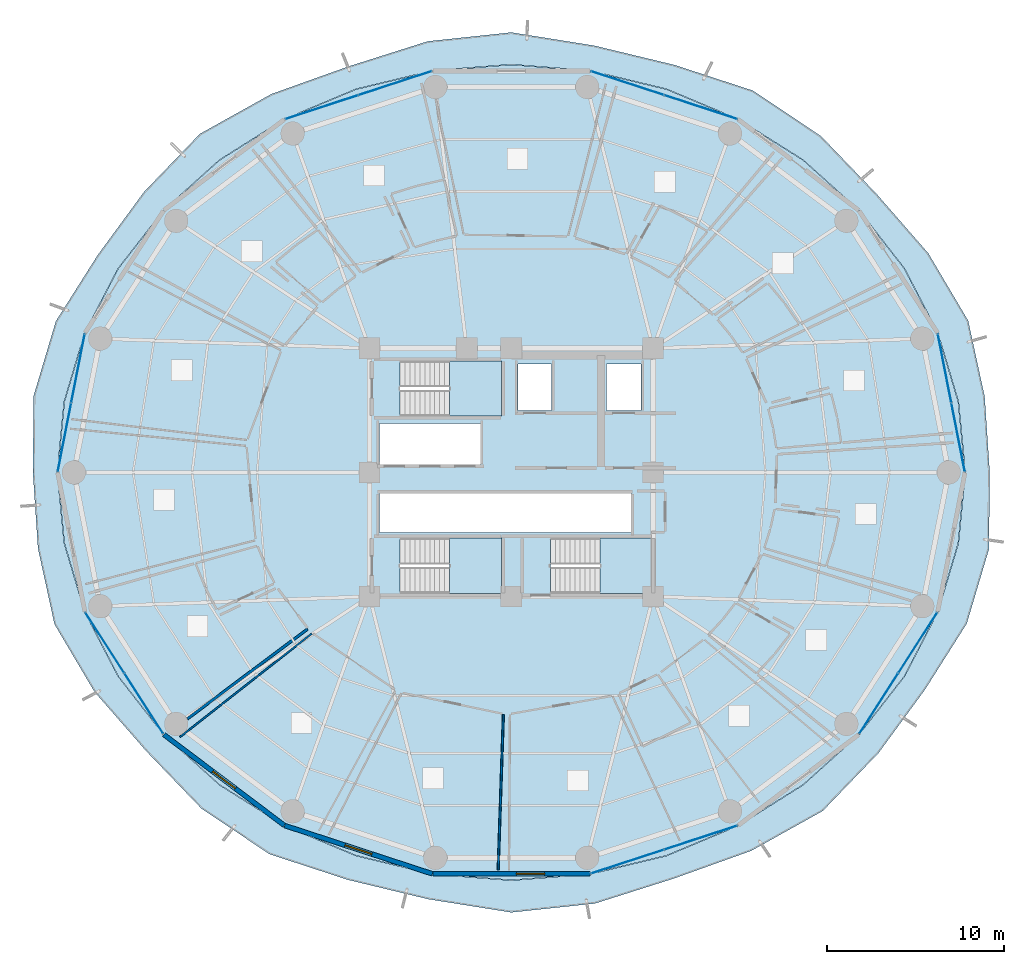
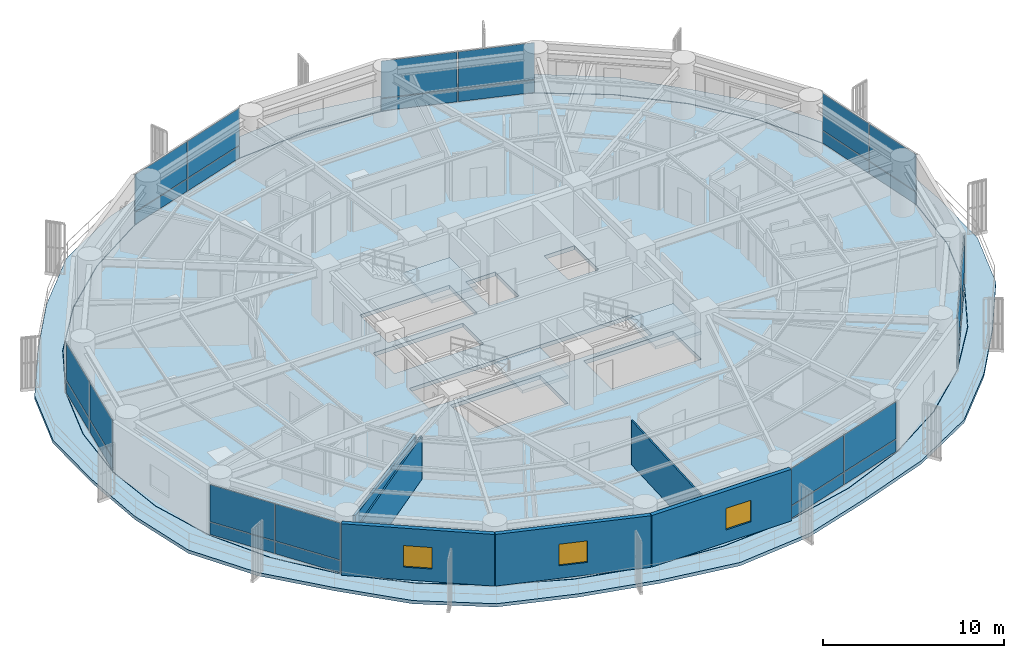
# One storey, part 27 of 36: 28 plates, 6 walls, 5 slabs, 3 windows, 3 openings, 10 elements without a shape of their own.
"""IFC4 building model written with IfcOpenShell, lengths in metres."""

from ifc_helpers import new_model, si_unit, direction, frame, frame_2d, origin, origin_2d, place, context, subcontext, project, spatial, polyline, rectangle, outline, extrude, source, transform, mapped, material, layer, layer_set, type_object, element, fill, aggregate, save


model = new_model("IFC4")

# Units and contexts
model_context = context("Model", 3, precision=1e-05, world=origin(), true_north=direction((0.0, 1.0)))
body_context = subcontext(model_context, "Body", "Model", "MODEL_VIEW")
ifc_project = project(units=[si_unit("LENGTHUNIT", "METRE"), si_unit("AREAUNIT", "SQUARE_METRE"), si_unit("VOLUMEUNIT", "CUBIC_METRE"), si_unit("PLANEANGLEUNIT", "RADIAN"), si_unit("MASSUNIT", "GRAM", prefix="KILO")], contexts=[model_context])

# Site, building, storey
site_placement = place(None, origin())
site = spatial("IfcSite", under=ifc_project, at=site_placement, CompositionType="ELEMENT")
building_placement = place(site_placement, origin())
building = spatial("IfcBuilding", under=site, at=building_placement, Name="Kelanora Arch Commons", CompositionType="ELEMENT")
storey_placement = place(building_placement, frame((0.0, 0.0, 102.60009765625)))
storey = spatial("IfcBuildingStorey", under=building, at=storey_placement, Name="L26", CompositionType="ELEMENT", Elevation=102.60009765625)

# Stair, slab
ifc_material_1 = material(Name="Concrete C40/50", Category="concrete")
stair_type = type_object("IfcStairType", Name="STR-DL-375", PredefinedType="HALF_TURN_STAIR", material=ifc_material_1)
stair_1_placement = place(storey_placement, origin())
stair_1 = element("IfcStair", 1, at=stair_1_placement, inside=storey, type_object=stair_type, Name="L26 ST-T1", PredefinedType="HALF_TURN_STAIR")
ifc_layer_1 = layer(ifc_material_1, 0.199951171875)
ifc_layer_set_1 = layer_set([ifc_layer_1], Name="Concrete C40/50")
slab_type_1 = type_object("IfcSlabType", Name="SLB-STAIR-LND", PredefinedType="LANDING", material=ifc_layer_set_1)
slab_1_placement = place(storey_placement, frame((0.0, 0.0, 1.6748046875)))
slab_1 = element("IfcSlab", 2, at=slab_1_placement, type_object=slab_type_1, Name="ST-T1 landing 1", PredefinedType="LANDING", context=body_context, shape_type="SweptSolid", body=[
    extrude(outline(polyline([(70.52001953125, 61.179931640625), (73.43994140625, 61.179931640625), (73.43994140625, 64.2900390625), (70.52001953125, 64.2900390625), (70.52001953125, 61.179931640625)])), origin(), (0.0, 0.0, 1.0), 0.2001953125),
])
aggregate(stair_1, [slab_1])

stair_2_placement = place(storey_placement, origin())
stair_2 = element("IfcStair", 3, at=stair_2_placement, inside=storey, type_object=stair_type, Name="L26 ST-T2", PredefinedType="HALF_TURN_STAIR")
slab_2_placement = place(storey_placement, frame((0.0, 0.0, 1.6748046875)))
slab_2 = element("IfcSlab", 4, at=slab_2_placement, type_object=slab_type_1, Name="ST-T2 landing 1", PredefinedType="LANDING", context=body_context, shape_type="SweptSolid", body=[
    extrude(outline(polyline([(79.0, 51.179931640625), (81.919921875, 51.179931640625), (81.919921875, 54.2900390625), (79.0, 54.2900390625), (79.0, 51.179931640625)])), origin(), (0.0, 0.0, 1.0), 0.2001953125),
])
aggregate(stair_2, [slab_2])

stair_3_placement = place(storey_placement, origin())
stair_3 = element("IfcStair", 5, at=stair_3_placement, inside=storey, type_object=stair_type, Name="L26 ST-T3", PredefinedType="HALF_TURN_STAIR")
slab_3_placement = place(storey_placement, frame((0.0, 0.0, 1.6748046875)))
slab_3 = element("IfcSlab", 6, at=slab_3_placement, type_object=slab_type_1, Name="ST-T3 landing 1", PredefinedType="LANDING", context=body_context, shape_type="SweptSolid", body=[
    extrude(outline(polyline([(70.52001953125, 51.179931640625), (73.43994140625, 51.179931640625), (73.43994140625, 54.2900390625), (70.52001953125, 54.2900390625), (70.52001953125, 51.179931640625)])), origin(), (0.0, 0.0, 1.0), 0.2001953125),
])
aggregate(stair_3, [slab_3])

# Slabs
ifc_layer_2 = layer(ifc_material_1, 0.260009765625)
ifc_layer_set_2 = layer_set([ifc_layer_2], Name="Concrete C40/50")
slab_type_2 = type_object("IfcSlabType", Name="SLB-TWR-TYP", PredefinedType="FLOOR", material=ifc_layer_set_2)
slab_4_placement = place(storey_placement, frame((0.0, 0.0, -0.260009765625)))
element("IfcSlab", 7, at=slab_4_placement, inside=storey, type_object=slab_type_2, Name="Tower Floor Slab L26", PredefinedType="FLOOR", context=body_context, shape_type="SweptSolid", body=[
    extrude(outline(polyline([(99.60009765625, 58.0), (99.211181640625, 61.993896484375), (98.05615234375, 65.866455078125), (96.17041015625, 69.5), (93.610595703125, 72.7841796875), (90.455322265625, 75.618896484375), (86.800048828125, 77.918701171875), (82.755615234375, 79.61279296875), (78.4453125, 80.650634765625), (74.0, 81.0), (69.5546875, 80.650634765625), (65.244384765625, 79.61279296875), (61.199951171875, 77.918701171875), (57.544677734375, 75.618896484375), (54.389404296875, 72.7841796875), (51.82958984375, 69.5), (49.94384765625, 65.866455078125), (48.788818359375, 61.993896484375), (48.39990234375, 58.0), (48.788818359375, 54.006103515625), (49.94384765625, 50.133544921875), (51.82958984375, 46.5), (54.389404296875, 43.2158203125), (57.544677734375, 40.381103515625), (61.199951171875, 38.081298828125), (65.244384765625, 36.38720703125), (69.5546875, 35.349365234375), (74.0, 35.0), (78.4453125, 35.349365234375), (82.755615234375, 36.38720703125), (86.800048828125, 38.081298828125), (90.455322265625, 40.381103515625), (93.610595703125, 43.2158203125), (96.17041015625, 46.5), (98.05615234375, 50.133544921875), (99.211181640625, 54.006103515625), (99.60009765625, 58.0)]), holes=[polyline([(73.431884765625, 51.18798828125), (67.72802734375, 51.18798828125), (67.72802734375, 54.281982421875), (73.431884765625, 54.281982421875), (73.431884765625, 51.18798828125)]), polyline([(76.2080078125, 51.18798828125), (76.2080078125, 54.281982421875), (81.912109375, 54.281982421875), (81.912109375, 51.18798828125), (76.2080078125, 51.18798828125)]), polyline([(66.550048828125, 54.60009765625), (66.550048828125, 56.800048828125), (80.75, 56.800048828125), (80.75, 54.60009765625), (66.550048828125, 54.60009765625)]), polyline([(66.550048828125, 58.449951171875), (66.550048828125, 60.75), (72.25, 60.75), (72.25, 58.449951171875), (66.550048828125, 58.449951171875)]), polyline([(67.72802734375, 61.18798828125), (67.72802734375, 64.281982421875), (73.431884765625, 64.281982421875), (73.431884765625, 61.18798828125), (67.72802734375, 61.18798828125)]), polyline([(74.3798828125, 61.47998046875), (74.3798828125, 64.1201171875), (76.260009765625, 64.1201171875), (76.260009765625, 61.47998046875), (74.3798828125, 61.47998046875)]), polyline([(79.3798828125, 61.47998046875), (79.3798828125, 64.1201171875), (81.320068359375, 64.1201171875), (81.320068359375, 61.47998046875), (79.3798828125, 61.47998046875)])]), origin(), (0.0, 0.0, 1.0), 0.260009765625),
])
ifc_layer_3 = layer(ifc_material_1, 0.219970703125)
ifc_layer_set_3 = layer_set([ifc_layer_3], Name="Concrete C40/50")
slab_type_3 = type_object("IfcSlabType", Name="SLB-WAVE-BAL", PredefinedType="FLOOR", material=ifc_layer_set_3)
slab_5_placement = place(storey_placement, frame((0.0, 0.0, -0.22021484375)))
element("IfcSlab", 8, at=slab_5_placement, inside=storey, type_object=slab_type_3, Name="Sinusoidal Wave Balcony Slab L26", PredefinedType="FLOOR", context=body_context, shape_type="SweptSolid", body=[
    extrude(outline(polyline([(100.991943359375, 58.0), (100.70556640625, 62.287109375), (99.775146484375, 66.562744140625), (97.5234375, 70.36962890625), (94.606201171875, 73.7138671875), (91.47509765625, 76.9716796875), (87.640380859375, 79.53857421875), (83.205810546875, 80.989013671875), (78.671875, 82.08056640625), (74.0, 82.824951171875), (69.28955078125, 82.32373046875), (64.82080078125, 80.90771484375), (60.45947265625, 79.346435546875), (56.42822265625, 77.10009765625), (53.276123046875, 73.823486328125), (50.65869140625, 70.25244140625), (48.30419921875, 66.53076171875), (47.052978515625, 62.334716796875), (47.008056640625, 58.0), (47.29443359375, 53.712890625), (48.224853515625, 49.437255859375), (50.4765625, 45.63037109375), (53.393798828125, 42.2861328125), (56.52490234375, 39.0283203125), (60.359619140625, 36.46142578125), (64.794189453125, 35.010986328125), (69.328125, 33.91943359375), (74.0, 33.175048828125), (78.71044921875, 33.67626953125), (83.17919921875, 35.09228515625), (87.54052734375, 36.653564453125), (91.57177734375, 38.89990234375), (94.723876953125, 42.176513671875), (97.34130859375, 45.74755859375), (99.69580078125, 49.46923828125), (100.947021484375, 53.665283203125), (100.991943359375, 58.0)]), holes=[polyline([(99.230712890625, 54.002685546875), (98.074951171875, 50.126708984375), (96.1875, 46.489990234375), (93.626220703125, 43.202880859375), (90.46826171875, 40.36572265625), (86.81005859375, 38.064208984375), (82.7626953125, 36.368408203125), (78.448974609375, 35.32958984375), (74.0, 34.97998046875), (69.551025390625, 35.32958984375), (65.2373046875, 36.368408203125), (61.18994140625, 38.064208984375), (57.53173828125, 40.36572265625), (54.373779296875, 43.202880859375), (51.8125, 46.489990234375), (49.925048828125, 50.126708984375), (48.769287109375, 54.002685546875), (48.3798828125, 58.0), (48.769287109375, 61.997314453125), (49.925048828125, 65.873291015625), (51.8125, 69.510009765625), (54.373779296875, 72.797119140625), (57.53173828125, 75.63427734375), (61.18994140625, 77.935791015625), (65.2373046875, 79.631591796875), (69.551025390625, 80.67041015625), (74.0, 81.02001953125), (78.448974609375, 80.67041015625), (82.7626953125, 79.631591796875), (86.81005859375, 77.935791015625), (90.46826171875, 75.63427734375), (93.626220703125, 72.797119140625), (96.1875, 69.510009765625), (98.074951171875, 65.873291015625), (99.230712890625, 61.997314453125), (99.6201171875, 58.0), (99.230712890625, 54.002685546875)])]), origin(), (0.0, 0.0, 1.0), 0.22021484375),
])

# Curtain wall, plates
ifc_material_2 = material(Name="Terracotta ceramic-fritted low-E glass and aluminium", Category="masonry")
ifc_layer_4 = layer(ifc_material_2, 0.159912109375)
ifc_layer_set_4 = layer_set([ifc_layer_4], Name="Terracotta ceramic-fritted low-E glass and aluminium")
curtain_wall_type = type_object("IfcCurtainWallType", Name="CW-SYS-01", PredefinedType="NOTDEFINED", material=ifc_layer_set_4)
curtain_wall_1_placement = place(storey_placement, origin())
curtain_wall_1 = element("IfcCurtainWall", 9, at=curtain_wall_1_placement, inside=storey, type_object=curtain_wall_type, Name="Unitised Curtain Wall L26-B00", PredefinedType="NOTDEFINED")
ifc_material_3 = material(Name="Terracotta ceramic-fritted double glazing", Category="masonry")
ifc_layer_5 = layer(ifc_material_3, 0.028076171875)
ifc_layer_set_5 = layer_set([ifc_layer_5], Name="Terracotta ceramic-fritted double glazing")
plate_type = type_object("IfcPlateType", Name="CWP-FRIT", PredefinedType="CURTAIN_PANEL", material=ifc_layer_set_5)
shared_shape_1 = source(origin(), body_context, "Body", "SweptSolid", [
    extrude(rectangle(XDim=3.9033203125, YDim=0.028076171875, at=origin_2d()), origin(), (0.0, 0.0, 1.0), 0.81005859375),
])
plate_1_placement = place(storey_placement, frame((99.209716796875, 59.98876953125, 0.059814453125), z_axis=(0.0, 0.0, 1.0), x_axis=(-0.192584916272, 0.981280311646, 0.0)))
plate_1 = element("IfcPlate", 10, at=plate_1_placement, type_object=plate_type, Name="CW-01 panel 1.1", PredefinedType="CURTAIN_PANEL", context=body_context, shape_type="MappedRepresentation", body=[
    mapped(shared_shape_1, transform((0.0, 0.0, 0.0), scale=1.0)),
])
plate_2_placement = place(storey_placement, frame((98.446533203125, 63.877685546875, 0.059814453125), z_axis=(0.0, 0.0, 1.0), x_axis=(-0.192584916272, 0.981280311646, 0.0)))
plate_2 = element("IfcPlate", 11, at=plate_2_placement, type_object=plate_type, Name="CW-01 panel 2.1", PredefinedType="CURTAIN_PANEL", context=body_context, shape_type="MappedRepresentation", body=[
    mapped(shared_shape_1, transform((0.0, 0.0, 0.0), scale=1.0)),
])

curtain_wall_2_placement = place(storey_placement, origin())
curtain_wall_2 = element("IfcCurtainWall", 12, at=curtain_wall_2_placement, inside=storey, type_object=curtain_wall_type, Name="Unitised Curtain Wall L26-B08", PredefinedType="NOTDEFINED")
plate_3_placement = place(storey_placement, frame((49.553466796875, 63.877685546875, 0.059814453125), z_axis=(0.0, 0.0, 1.0), x_axis=(-0.192584916272, -0.981280311646, 0.0)))
plate_3 = element("IfcPlate", 13, at=plate_3_placement, type_object=plate_type, Name="CW-01 panel 1.1", PredefinedType="CURTAIN_PANEL", context=body_context, shape_type="MappedRepresentation", body=[
    mapped(shared_shape_1, transform((0.0, 0.0, 0.0), scale=1.0)),
])
plate_4_placement = place(storey_placement, frame((48.790283203125, 59.98876953125, 0.059814453125), z_axis=(0.0, 0.0, 1.0), x_axis=(-0.192584916272, -0.981280311646, 0.0)))
plate_4 = element("IfcPlate", 14, at=plate_4_placement, type_object=plate_type, Name="CW-01 panel 2.1", PredefinedType="CURTAIN_PANEL", context=body_context, shape_type="MappedRepresentation", body=[
    mapped(shared_shape_1, transform((0.0, 0.0, 0.0), scale=1.0)),
])

# Plate
shared_shape_2 = source(origin(), body_context, "Body", "SweptSolid", [
    extrude(rectangle(XDim=3.9033203125, YDim=0.028076171875, at=origin_2d()), origin(), (0.0, 0.0, 1.0), 2.485107421875),
])
plate_5_placement = place(storey_placement, frame((99.209716796875, 59.98876953125, 0.9296875), z_axis=(0.0, 0.0, 1.0), x_axis=(-0.192584916272, 0.981280311646, 0.0)))
plate_5 = element("IfcPlate", 15, at=plate_5_placement, type_object=plate_type, Name="CW-01 panel 1.2", PredefinedType="CURTAIN_PANEL", context=body_context, shape_type="MappedRepresentation", body=[
    mapped(shared_shape_2, transform((0.0, 0.0, 0.0), scale=1.0)),
])

plate_6_placement = place(storey_placement, frame((98.446533203125, 63.877685546875, 0.9296875), z_axis=(0.0, 0.0, 1.0), x_axis=(-0.192584916272, 0.981280311646, 0.0)))
plate_6 = element("IfcPlate", 16, at=plate_6_placement, type_object=plate_type, Name="CW-01 panel 2.2", PredefinedType="CURTAIN_PANEL", context=body_context, shape_type="MappedRepresentation", body=[
    mapped(shared_shape_2, transform((0.0, 0.0, 0.0), scale=1.0)),
])

aggregate(curtain_wall_1, [plate_1, plate_5, plate_2, plate_6])

plate_7_placement = place(storey_placement, frame((49.553466796875, 63.877685546875, 0.9296875), z_axis=(0.0, 0.0, 1.0), x_axis=(-0.192584916272, -0.981280311646, 0.0)))
plate_7 = element("IfcPlate", 17, at=plate_7_placement, type_object=plate_type, Name="CW-01 panel 1.2", PredefinedType="CURTAIN_PANEL", context=body_context, shape_type="MappedRepresentation", body=[
    mapped(shared_shape_2, transform((0.0, 0.0, 0.0), scale=1.0)),
])

plate_8_placement = place(storey_placement, frame((48.790283203125, 59.98876953125, 0.9296875), z_axis=(0.0, 0.0, 1.0), x_axis=(-0.192584916272, -0.981280311646, 0.0)))
plate_8 = element("IfcPlate", 18, at=plate_8_placement, type_object=plate_type, Name="CW-01 panel 2.2", PredefinedType="CURTAIN_PANEL", context=body_context, shape_type="MappedRepresentation", body=[
    mapped(shared_shape_2, transform((0.0, 0.0, 0.0), scale=1.0)),
])

aggregate(curtain_wall_2, [plate_3, plate_7, plate_4, plate_8])

# Curtain wall, plates
curtain_wall_3_placement = place(storey_placement, origin())
curtain_wall_3 = element("IfcCurtainWall", 19, at=curtain_wall_3_placement, inside=storey, type_object=curtain_wall_type, Name="Unitised Curtain Wall L26-B03", PredefinedType="NOTDEFINED")
shared_shape_3 = source(origin(), body_context, "Body", "SweptSolid", [
    extrude(rectangle(XDim=4.2900390625, YDim=0.028076171875, at=origin_2d()), origin(), (0.0, 0.0, 1.0), 0.81005859375),
])
plate_9_placement = place(storey_placement, frame((84.68994140625, 78.608642578125, 0.059814453125), z_axis=(0.0, 0.0, 1.0), x_axis=(-0.950473795867, 0.31080470294, 0.0)))
plate_9 = element("IfcPlate", 20, at=plate_9_placement, type_object=plate_type, Name="CW-01 panel 1.1", PredefinedType="CURTAIN_PANEL", context=body_context, shape_type="MappedRepresentation", body=[
    mapped(shared_shape_3, transform((0.0, 0.0, 0.0), scale=1.0)),
])
plate_10_placement = place(storey_placement, frame((80.555419921875, 79.960693359375, 0.059814453125), z_axis=(0.0, 0.0, 1.0), x_axis=(-0.950473795867, 0.31080470294, 0.0)))
plate_10 = element("IfcPlate", 21, at=plate_10_placement, type_object=plate_type, Name="CW-01 panel 2.1", PredefinedType="CURTAIN_PANEL", context=body_context, shape_type="MappedRepresentation", body=[
    mapped(shared_shape_3, transform((0.0, 0.0, 0.0), scale=1.0)),
])

curtain_wall_4_placement = place(storey_placement, origin())
curtain_wall_4 = element("IfcCurtainWall", 22, at=curtain_wall_4_placement, inside=storey, type_object=curtain_wall_type, Name="Unitised Curtain Wall L26-B05", PredefinedType="NOTDEFINED")
plate_11_placement = place(storey_placement, frame((67.444580078125, 79.960693359375, 0.059814453125), z_axis=(0.0, 0.0, 1.0), x_axis=(-0.950473795867, -0.31080470294, 0.0)))
plate_11 = element("IfcPlate", 23, at=plate_11_placement, type_object=plate_type, Name="CW-01 panel 1.1", PredefinedType="CURTAIN_PANEL", context=body_context, shape_type="MappedRepresentation", body=[
    mapped(shared_shape_3, transform((0.0, 0.0, 0.0), scale=1.0)),
])
plate_12_placement = place(storey_placement, frame((63.31005859375, 78.608642578125, 0.059814453125), z_axis=(0.0, 0.0, 1.0), x_axis=(-0.950473795867, -0.31080470294, 0.0)))
plate_12 = element("IfcPlate", 24, at=plate_12_placement, type_object=plate_type, Name="CW-01 panel 2.1", PredefinedType="CURTAIN_PANEL", context=body_context, shape_type="MappedRepresentation", body=[
    mapped(shared_shape_3, transform((0.0, 0.0, 0.0), scale=1.0)),
])

curtain_wall_5_placement = place(storey_placement, origin())
curtain_wall_5 = element("IfcCurtainWall", 25, at=curtain_wall_5_placement, inside=storey, type_object=curtain_wall_type, Name="Unitised Curtain Wall L26-B14", PredefinedType="NOTDEFINED")
plate_13_placement = place(storey_placement, frame((80.555419921875, 36.039306640625, 0.059814453125), z_axis=(0.0, 0.0, 1.0), x_axis=(0.950473795867, 0.31080470294, 0.0)))
plate_13 = element("IfcPlate", 26, at=plate_13_placement, type_object=plate_type, Name="CW-01 panel 1.1", PredefinedType="CURTAIN_PANEL", context=body_context, shape_type="MappedRepresentation", body=[
    mapped(shared_shape_3, transform((0.0, 0.0, 0.0), scale=1.0)),
])
plate_14_placement = place(storey_placement, frame((84.68994140625, 37.391357421875, 0.059814453125), z_axis=(0.0, 0.0, 1.0), x_axis=(0.950473795867, 0.31080470294, 0.0)))
plate_14 = element("IfcPlate", 27, at=plate_14_placement, type_object=plate_type, Name="CW-01 panel 2.1", PredefinedType="CURTAIN_PANEL", context=body_context, shape_type="MappedRepresentation", body=[
    mapped(shared_shape_3, transform((0.0, 0.0, 0.0), scale=1.0)),
])

# Plate
shared_shape_4 = source(origin(), body_context, "Body", "SweptSolid", [
    extrude(rectangle(XDim=4.2900390625, YDim=0.028076171875, at=origin_2d()), origin(), (0.0, 0.0, 1.0), 2.485107421875),
])
plate_15_placement = place(storey_placement, frame((84.68994140625, 78.608642578125, 0.9296875), z_axis=(0.0, 0.0, 1.0), x_axis=(-0.950473795867, 0.31080470294, 0.0)))
plate_15 = element("IfcPlate", 28, at=plate_15_placement, type_object=plate_type, Name="CW-01 panel 1.2", PredefinedType="CURTAIN_PANEL", context=body_context, shape_type="MappedRepresentation", body=[
    mapped(shared_shape_4, transform((0.0, 0.0, 0.0), scale=1.0)),
])

plate_16_placement = place(storey_placement, frame((80.555419921875, 79.960693359375, 0.9296875), z_axis=(0.0, 0.0, 1.0), x_axis=(-0.950473795867, 0.31080470294, 0.0)))
plate_16 = element("IfcPlate", 29, at=plate_16_placement, type_object=plate_type, Name="CW-01 panel 2.2", PredefinedType="CURTAIN_PANEL", context=body_context, shape_type="MappedRepresentation", body=[
    mapped(shared_shape_4, transform((0.0, 0.0, 0.0), scale=1.0)),
])

aggregate(curtain_wall_3, [plate_9, plate_15, plate_10, plate_16])

plate_17_placement = place(storey_placement, frame((67.444580078125, 79.960693359375, 0.9296875), z_axis=(0.0, 0.0, 1.0), x_axis=(-0.950473795867, -0.31080470294, 0.0)))
plate_17 = element("IfcPlate", 30, at=plate_17_placement, type_object=plate_type, Name="CW-01 panel 1.2", PredefinedType="CURTAIN_PANEL", context=body_context, shape_type="MappedRepresentation", body=[
    mapped(shared_shape_4, transform((0.0, 0.0, 0.0), scale=1.0)),
])

plate_18_placement = place(storey_placement, frame((63.31005859375, 78.608642578125, 0.9296875), z_axis=(0.0, 0.0, 1.0), x_axis=(-0.950473795867, -0.31080470294, 0.0)))
plate_18 = element("IfcPlate", 31, at=plate_18_placement, type_object=plate_type, Name="CW-01 panel 2.2", PredefinedType="CURTAIN_PANEL", context=body_context, shape_type="MappedRepresentation", body=[
    mapped(shared_shape_4, transform((0.0, 0.0, 0.0), scale=1.0)),
])

aggregate(curtain_wall_4, [plate_11, plate_17, plate_12, plate_18])

plate_19_placement = place(storey_placement, frame((80.555419921875, 36.039306640625, 0.9296875), z_axis=(0.0, 0.0, 1.0), x_axis=(0.950473795867, 0.31080470294, 0.0)))
plate_19 = element("IfcPlate", 32, at=plate_19_placement, type_object=plate_type, Name="CW-01 panel 1.2", PredefinedType="CURTAIN_PANEL", context=body_context, shape_type="MappedRepresentation", body=[
    mapped(shared_shape_4, transform((0.0, 0.0, 0.0), scale=1.0)),
])

plate_20_placement = place(storey_placement, frame((84.68994140625, 37.391357421875, 0.9296875), z_axis=(0.0, 0.0, 1.0), x_axis=(0.950473795867, 0.31080470294, 0.0)))
plate_20 = element("IfcPlate", 33, at=plate_20_placement, type_object=plate_type, Name="CW-01 panel 2.2", PredefinedType="CURTAIN_PANEL", context=body_context, shape_type="MappedRepresentation", body=[
    mapped(shared_shape_4, transform((0.0, 0.0, 0.0), scale=1.0)),
])

aggregate(curtain_wall_5, [plate_13, plate_19, plate_14, plate_20])

# Curtain wall, plates
curtain_wall_6_placement = place(storey_placement, origin())
curtain_wall_6 = element("IfcCurtainWall", 34, at=curtain_wall_6_placement, inside=storey, type_object=curtain_wall_type, Name="Unitised Curtain Wall L26-B10", PredefinedType="NOTDEFINED")
shared_shape_5 = source(origin(), body_context, "Body", "SweptSolid", [
    extrude(rectangle(XDim=4.00634765625, YDim=0.028076171875, at=origin_2d()), origin(), (0.0, 0.0, 1.0), 0.81005859375),
])
plate_21_placement = place(storey_placement, frame((51.0673828125, 48.38525390625, 0.059814453125), z_axis=(0.0, 0.0, 1.0), x_axis=(0.540616931244, -0.841268883088, 0.0)))
plate_21 = element("IfcPlate", 35, at=plate_21_placement, type_object=plate_type, Name="CW-01 panel 1.1", PredefinedType="CURTAIN_PANEL", context=body_context, shape_type="MappedRepresentation", body=[
    mapped(shared_shape_5, transform((0.0, 0.0, 0.0), scale=1.0)),
])
plate_22_placement = place(storey_placement, frame((53.265869140625, 44.964111328125, 0.059814453125), z_axis=(0.0, 0.0, 1.0), x_axis=(0.540616931244, -0.841268883088, 0.0)))
plate_22 = element("IfcPlate", 36, at=plate_22_placement, type_object=plate_type, Name="CW-01 panel 2.1", PredefinedType="CURTAIN_PANEL", context=body_context, shape_type="MappedRepresentation", body=[
    mapped(shared_shape_5, transform((0.0, 0.0, 0.0), scale=1.0)),
])

curtain_wall_7_placement = place(storey_placement, origin())
curtain_wall_7 = element("IfcCurtainWall", 37, at=curtain_wall_7_placement, inside=storey, type_object=curtain_wall_type, Name="Unitised Curtain Wall L26-B16", PredefinedType="NOTDEFINED")
plate_23_placement = place(storey_placement, frame((94.734130859375, 44.964111328125, 0.059814453125), z_axis=(0.0, 0.0, 1.0), x_axis=(0.540616931244, 0.841268883088, 0.0)))
plate_23 = element("IfcPlate", 38, at=plate_23_placement, type_object=plate_type, Name="CW-01 panel 1.1", PredefinedType="CURTAIN_PANEL", context=body_context, shape_type="MappedRepresentation", body=[
    mapped(shared_shape_5, transform((0.0, 0.0, 0.0), scale=1.0)),
])
plate_24_placement = place(storey_placement, frame((96.9326171875, 48.38525390625, 0.059814453125), z_axis=(0.0, 0.0, 1.0), x_axis=(0.540616931244, 0.841268883088, 0.0)))
plate_24 = element("IfcPlate", 39, at=plate_24_placement, type_object=plate_type, Name="CW-01 panel 2.1", PredefinedType="CURTAIN_PANEL", context=body_context, shape_type="MappedRepresentation", body=[
    mapped(shared_shape_5, transform((0.0, 0.0, 0.0), scale=1.0)),
])

# Plate
shared_shape_6 = source(origin(), body_context, "Body", "SweptSolid", [
    extrude(rectangle(XDim=4.00634765625, YDim=0.028076171875, at=origin_2d()), origin(), (0.0, 0.0, 1.0), 2.485107421875),
])
plate_25_placement = place(storey_placement, frame((51.0673828125, 48.38525390625, 0.9296875), z_axis=(0.0, 0.0, 1.0), x_axis=(0.540616931244, -0.841268883088, 0.0)))
plate_25 = element("IfcPlate", 40, at=plate_25_placement, type_object=plate_type, Name="CW-01 panel 1.2", PredefinedType="CURTAIN_PANEL", context=body_context, shape_type="MappedRepresentation", body=[
    mapped(shared_shape_6, transform((0.0, 0.0, 0.0), scale=1.0)),
])

plate_26_placement = place(storey_placement, frame((53.265869140625, 44.964111328125, 0.9296875), z_axis=(0.0, 0.0, 1.0), x_axis=(0.540616931244, -0.841268883088, 0.0)))
plate_26 = element("IfcPlate", 41, at=plate_26_placement, type_object=plate_type, Name="CW-01 panel 2.2", PredefinedType="CURTAIN_PANEL", context=body_context, shape_type="MappedRepresentation", body=[
    mapped(shared_shape_6, transform((0.0, 0.0, 0.0), scale=1.0)),
])

aggregate(curtain_wall_6, [plate_21, plate_25, plate_22, plate_26])

plate_27_placement = place(storey_placement, frame((94.734130859375, 44.964111328125, 0.9296875), z_axis=(0.0, 0.0, 1.0), x_axis=(0.540616931244, 0.841268883088, 0.0)))
plate_27 = element("IfcPlate", 42, at=plate_27_placement, type_object=plate_type, Name="CW-01 panel 1.2", PredefinedType="CURTAIN_PANEL", context=body_context, shape_type="MappedRepresentation", body=[
    mapped(shared_shape_6, transform((0.0, 0.0, 0.0), scale=1.0)),
])

plate_28_placement = place(storey_placement, frame((96.9326171875, 48.38525390625, 0.9296875), z_axis=(0.0, 0.0, 1.0), x_axis=(0.540616931244, 0.841268883088, 0.0)))
plate_28 = element("IfcPlate", 43, at=plate_28_placement, type_object=plate_type, Name="CW-01 panel 2.2", PredefinedType="CURTAIN_PANEL", context=body_context, shape_type="MappedRepresentation", body=[
    mapped(shared_shape_6, transform((0.0, 0.0, 0.0), scale=1.0)),
])

aggregate(curtain_wall_7, [plate_23, plate_27, plate_24, plate_28])

# Wall
ifc_material_4 = material(Name="Autoclaved aerated concrete blockwork with fire plaster", Category="masonry")
ifc_layer_6 = layer(ifc_material_4, 0.14990234375)
ifc_layer_set_6 = layer_set([ifc_layer_6], Name="Autoclaved aerated concrete blockwork with fire plaster")
wall_type_1 = type_object("IfcWallType", Name="W-COMP-150", PredefinedType="PARTITIONING", material=ifc_layer_set_6)
wall_1_placement = place(storey_placement, frame((62.5048828125, 49.16015625, 0.0), z_axis=(0.0, 0.0, 1.0), x_axis=(-0.801231684565, -0.598354232582, 0.0)))
element("IfcWall", 44, at=wall_1_placement, inside=storey, type_object=wall_type_1, Name="Co-Living Studio L26-09 Enclosure Partition 2", PredefinedType="PARTITIONING", context=body_context, shape_type="SweptSolid", body=[
    extrude(rectangle(XDim=8.456298828125, YDim=0.14990234375, at=frame_2d((4.22802734375, 0.0))), origin(), (0.0, 0.0, 1.0), 2.9248046875),
])

# Wall, opening, window
ifc_material_5 = material(Name="Precast concrete C40/50 with terracotta rainscreen", Category="masonry")
ifc_layer_7 = layer(ifc_material_5, 0.260009765625)
ifc_layer_set_7 = layer_set([ifc_layer_7], Name="Precast concrete C40/50 with terracotta rainscreen")
wall_type_2 = type_object("IfcWallType", Name="W-EXT-TC", PredefinedType="SOLIDWALL", material=ifc_layer_set_7)
wall_2_placement = place(storey_placement, frame((54.4013671875, 43.206787109375, 0.0), z_axis=(0.0, 0.0, 1.0), x_axis=(0.798501507879, -0.601992808857, 0.0)))
wall_2 = element("IfcWall", 45, at=wall_2_placement, inside=storey, type_object=wall_type_2, Name="Terracotta Exterior Wall L26-B11", PredefinedType="SOLIDWALL", context=body_context, shape_type="SweptSolid", body=[
    extrude(rectangle(XDim=8.499267578125, YDim=0.260009765625, at=frame_2d((4.24951171875, 0.0))), origin(), (0.0, 0.0, 1.0), 3.474853515625),
])
opening_1_placement = place(wall_2_placement, frame((3.449951171875, 0.0, 0.85009765625)))
opening_1 = element("IfcOpeningElement", 46, at=opening_1_placement, cuts=wall_2, Name="Opening WN-01", PredefinedType="OPENING", context=body_context, shape_type="SweptSolid", body=[
    extrude(rectangle(XDim=1.60009765625, YDim=1.449951171875, at=frame_2d((0.800048828125, 0.72509765625))), frame((0.0, 0.14013671875, 0.0), z_axis=(0.0, -1.0, 0.0), x_axis=(1.0, 0.0, 0.0)), (0.0, 0.0, 1.0), 0.280029296875),
])
ifc_material_6 = material(Name="Terracotta-anodised aluminium frame with operable low-E glazing", Category="masonry")
window_type = type_object("IfcWindowType", Name="WIN-CL-18", PartitioningType="DOUBLE_PANEL_VERTICAL", PredefinedType="WINDOW", material=ifc_material_6)
window_1_placement = place(opening_1_placement, origin())
window_1 = element("IfcWindow", 47, at=window_1_placement, inside=storey, type_object=window_type, Name="Co-Living Operable Window L26-B11", OverallHeight=1.449951171875, OverallWidth=1.60009765625, PartitioningType="SINGLE_PANEL", PredefinedType="WINDOW", context=body_context, shape_type="SweptSolid", body=[
    extrude(rectangle(XDim=1.60009765625, YDim=1.449951171875, at=frame_2d((0.800048828125, 0.72509765625))), frame((0.0, 0.030029296875, 0.0), z_axis=(0.0, -1.0, 0.0), x_axis=(1.0, 0.0, 0.0)), (0.0, 0.0, 1.0), 0.06005859375),
])
fill(opening_1, window_1)

wall_3_placement = place(storey_placement, frame((61.21435546875, 38.07666015625, 0.0), z_axis=(0.0, 0.0, 1.0), x_axis=(0.950471101963, -0.310812941064, 0.0)))
wall_3 = element("IfcWall", 48, at=wall_3_placement, inside=storey, type_object=wall_type_2, Name="Terracotta Exterior Wall L26-B12", PredefinedType="SOLIDWALL", context=body_context, shape_type="SweptSolid", body=[
    extrude(rectangle(XDim=8.759765625, YDim=0.260009765625, at=frame_2d((4.3798828125, 0.0))), origin(), (0.0, 0.0, 1.0), 3.474853515625),
])
opening_2_placement = place(wall_3_placement, frame((3.580078125, 0.0, 0.85009765625)))
opening_2 = element("IfcOpeningElement", 49, at=opening_2_placement, cuts=wall_3, Name="Opening WN-01", PredefinedType="OPENING", context=body_context, shape_type="SweptSolid", body=[
    extrude(rectangle(XDim=1.60009765625, YDim=1.449951171875, at=frame_2d((0.800048828125, 0.72509765625))), frame((0.0, 0.14013671875, 0.0), z_axis=(0.0, -1.0, 0.0), x_axis=(1.0, 0.0, 0.0)), (0.0, 0.0, 1.0), 0.280029296875),
])
window_2_placement = place(opening_2_placement, origin())
window_2 = element("IfcWindow", 50, at=window_2_placement, inside=storey, type_object=window_type, Name="Co-Living Operable Window L26-B12", OverallHeight=1.449951171875, OverallWidth=1.60009765625, PartitioningType="SINGLE_PANEL", PredefinedType="WINDOW", context=body_context, shape_type="SweptSolid", body=[
    extrude(rectangle(XDim=1.60009765625, YDim=1.449951171875, at=frame_2d((0.800048828125, 0.72509765625))), frame((0.0, 0.030029296875, 0.0), z_axis=(0.0, -1.0, 0.0), x_axis=(1.0, 0.0, 0.0)), (0.0, 0.0, 1.0), 0.06005859375),
])
fill(opening_2, window_2)

wall_4_placement = place(storey_placement, frame((69.569580078125, 35.349365234375, 0.0), z_axis=(0.0, 0.0, 1.0), x_axis=(1.0, 0.0, 0.0)))
wall_4 = element("IfcWall", 51, at=wall_4_placement, inside=storey, type_object=wall_type_2, Name="Terracotta Exterior Wall L26-B13", PredefinedType="SOLIDWALL", context=body_context, shape_type="SweptSolid", body=[
    extrude(rectangle(XDim=8.86083984375, YDim=0.260009765625, at=frame_2d((4.430419921875, 0.0))), origin(), (0.0, 0.0, 1.0), 3.474853515625),
])
opening_3_placement = place(wall_4_placement, frame((4.7099609375, 0.0, 0.85009765625)))
opening_3 = element("IfcOpeningElement", 52, at=opening_3_placement, cuts=wall_4, Name="Opening WN-01", PredefinedType="OPENING", context=body_context, shape_type="SweptSolid", body=[
    extrude(rectangle(XDim=1.60009765625, YDim=1.449951171875, at=frame_2d((0.800048828125, 0.72509765625))), frame((0.0, 0.14013671875, 0.0), z_axis=(0.0, -1.0, 0.0), x_axis=(1.0, 0.0, 0.0)), (0.0, 0.0, 1.0), 0.280029296875),
])
window_3_placement = place(opening_3_placement, origin())
window_3 = element("IfcWindow", 53, at=window_3_placement, inside=storey, type_object=window_type, Name="Co-Living Operable Window L26-B13", OverallHeight=1.449951171875, OverallWidth=1.60009765625, PartitioningType="SINGLE_PANEL", PredefinedType="WINDOW", context=body_context, shape_type="SweptSolid", body=[
    extrude(rectangle(XDim=1.60009765625, YDim=1.449951171875, at=frame_2d((0.800048828125, 0.72509765625))), frame((0.0, 0.030029296875, 0.0), z_axis=(0.0, -1.0, 0.0), x_axis=(1.0, 0.0, 0.0)), (0.0, 0.0, 1.0), 0.06005859375),
])
fill(opening_3, window_3)

# Walls
ifc_material_7 = material(Name="Lightweight fire-rated acoustic stud partition")
ifc_layer_8 = layer(ifc_material_7, 0.10009765625)
ifc_layer_set_8 = layer_set([ifc_layer_8], Name="Lightweight fire-rated acoustic stud partition")
wall_type_3 = type_object("IfcWallType", Name="W-PART-100", PredefinedType="PARTITIONING", material=ifc_layer_set_8)
wall_5_placement = place(storey_placement, frame((55.305419921875, 43.07080078125, 0.0), z_axis=(0.0, 0.0, 1.0), x_axis=(0.78679196563, 0.6172182781, 0.0)))
element("IfcWall", 54, at=wall_5_placement, inside=storey, type_object=wall_type_3, Name="Communal Dining and Social Hall L26-10 Enclosure Partition 4", PredefinedType="PARTITIONING", context=body_context, shape_type="SweptSolid", body=[
    extrude(rectangle(XDim=9.45751953125, YDim=0.10009765625, at=frame_2d((4.728759765625, 0.0))), origin(), (0.0, 0.0, 1.0), 2.9248046875),
])
wall_6_placement = place(storey_placement, frame((73.552734375, 44.3359375, 0.0), z_axis=(0.0, 0.0, 1.0), x_axis=(-0.033680921614, -0.999432636809, 0.0)))
element("IfcWall", 55, at=wall_6_placement, inside=storey, type_object=wall_type_3, Name="Quiet Seminar Study Room L26-11 Enclosure Partition 2", PredefinedType="PARTITIONING", context=body_context, shape_type="SweptSolid", body=[
    extrude(rectangle(XDim=8.770751953125, YDim=0.10009765625, at=frame_2d((4.38525390625, 0.0))), origin(), (0.0, 0.0, 1.0), 2.974853515625),
])

save(model, "model.ifc")
